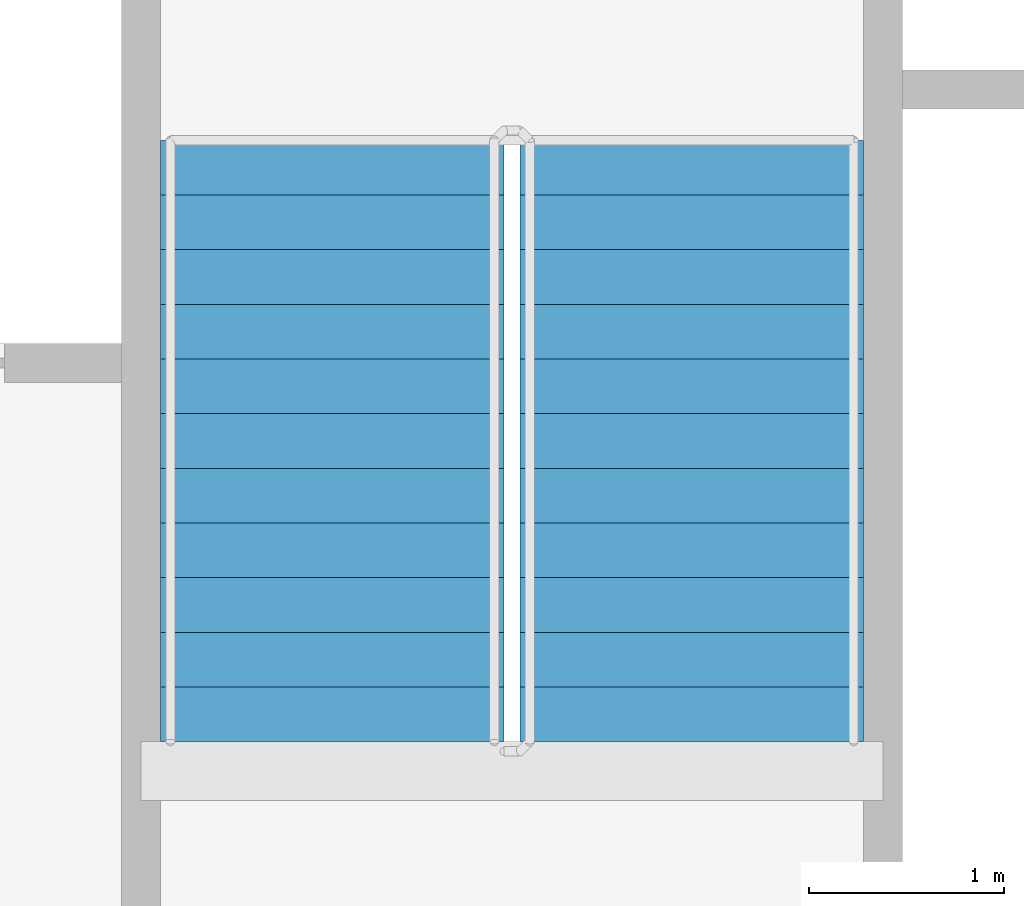
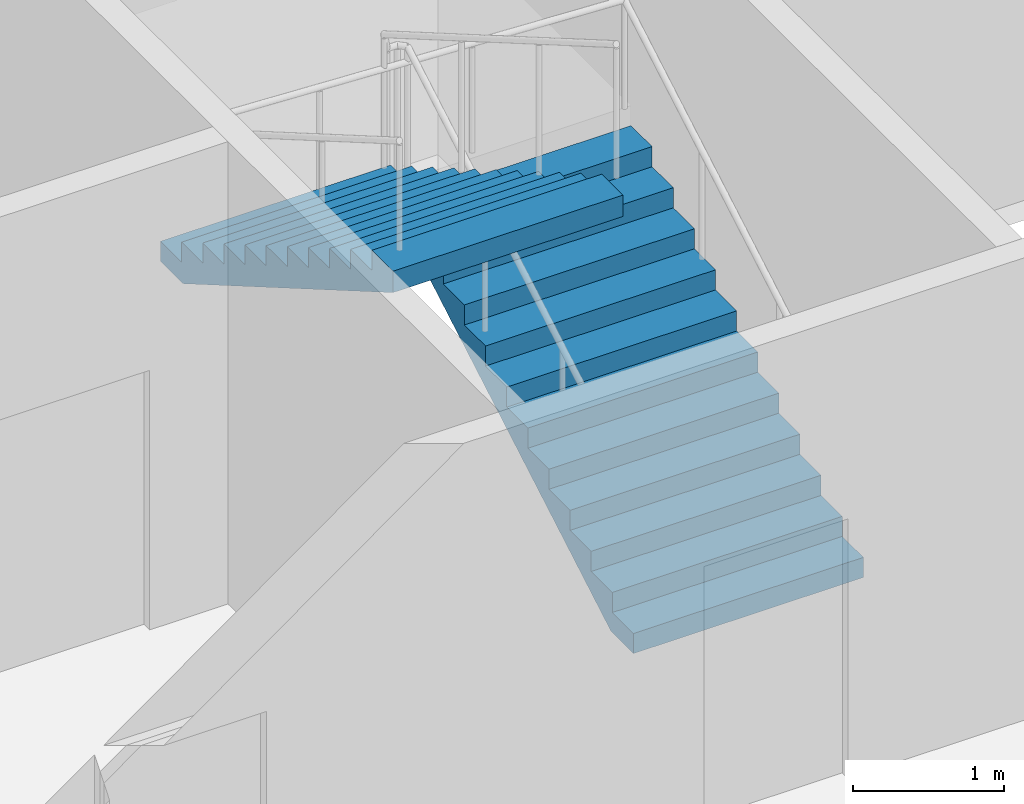
# One storey, part 18 of 23: 2 stair flights, 1 element without a shape of its own.
"""IFC4 building model written with IfcOpenShell, lengths in metres."""

from ifc_helpers import new_model, si_unit, direction, frame, origin, place, context, subcontext, project, spatial, faceted_brep, material, type_object, element, aggregate, save


model = new_model("IFC4")

# Units and contexts
model_context = context("Model", 3, precision=1e-05, world=origin(), true_north=direction((0.0, 1.0)))
body_context = subcontext(model_context, "Body", "Model", "MODEL_VIEW")
ifc_project = project(units=[si_unit("LENGTHUNIT", "METRE"), si_unit("AREAUNIT", "SQUARE_METRE"), si_unit("VOLUMEUNIT", "CUBIC_METRE"), si_unit("PLANEANGLEUNIT", "RADIAN"), si_unit("MASSUNIT", "GRAM", prefix="KILO")], contexts=[model_context])

# Site, building, storey
site_placement = place(None, origin())
site = spatial("IfcSite", under=ifc_project, at=site_placement, CompositionType="ELEMENT")
building_placement = place(site_placement, origin())
building = spatial("IfcBuilding", under=site, at=building_placement, Name="Tarsis Ring Headquarters", CompositionType="ELEMENT")
storey_placement = place(building_placement, frame((0.0, 0.0, 308.0)))
storey = spatial("IfcBuildingStorey", under=building, at=storey_placement, Name="L72", CompositionType="ELEMENT", Elevation=308.0)

# Stair, stair flights
ifc_material_1 = material(Name="Core stair 1760")
stair_type = type_object("IfcStairType", Name="Core stair 1760", PredefinedType="HALF_TURN_STAIR", material=ifc_material_1)
stair_placement = place(storey_placement, origin())
stair = element("IfcStair", 1, at=stair_placement, inside=storey, type_object=stair_type, Name="L72 Exit stair B", PredefinedType="HALF_TURN_STAIR")
ifc_material_2 = material(Name="Concrete C40/50", Category="concrete")
stair_flight_type = type_object("IfcStairFlightType", Name="Core stair flight 1760", PredefinedType="STRAIGHT", material=ifc_material_2)
stair_flight_1_placement = place(storey_placement, frame((5.419921875, 3.659912109375, 0.0), z_axis=(0.0, 0.0, 1.0), x_axis=(0.0, 1.0, 0.0)))
stair_flight_1 = element("IfcStairFlight", 2, at=stair_flight_1_placement, type_object=stair_flight_type, Name="Stair ST2 flight 1", NumberOfRisers=12, NumberOfTreads=11, PredefinedType="STRAIGHT", RiserHeight=0.1625, TreadLength=0.28, context=body_context, shape_type="Brep", body=[
    faceted_brep([(0.0, 0.8798828125, 0.0), (0.0, 0.8798828125, 0.16259765625), (0.280029296875, 0.8798828125, 0.16259765625), (0.280029296875, 0.8798828125, 0.324951171875), (0.56005859375, 0.8798828125, 0.324951171875), (0.56005859375, 0.8798828125, 0.487548828125), (0.840087890625, 0.8798828125, 0.487548828125), (0.840087890625, 0.8798828125, 0.64990234375), (1.1201171875, 0.8798828125, 0.64990234375), (1.1201171875, 0.8798828125, 0.8125), (1.39990234375, 0.8798828125, 0.8125), (1.39990234375, 0.8798828125, 0.97509765625), (1.679931640625, 0.8798828125, 0.97509765625), (1.679931640625, 0.8798828125, 1.137451171875), (1.9599609375, 0.8798828125, 1.137451171875), (1.9599609375, 0.8798828125, 1.300048828125), (2.239990234375, 0.8798828125, 1.300048828125), (2.239990234375, 0.8798828125, 1.46240234375), (2.52001953125, 0.8798828125, 1.46240234375), (2.52001953125, 0.8798828125, 1.625), (2.800048828125, 0.8798828125, 1.625), (2.800048828125, 0.8798828125, 1.78759765625), (3.080078125, 0.8798828125, 1.78759765625), (3.080078125, 0.8798828125, 1.6142578125), (0.298583984375, 0.8798828125, 0.0), (0.298583984375, -0.8798828125, 0.0), (3.080078125, -0.8798828125, 1.6142578125), (3.080078125, -0.8798828125, 1.78759765625), (2.800048828125, -0.8798828125, 1.78759765625), (2.800048828125, -0.8798828125, 1.625), (2.52001953125, -0.8798828125, 1.625), (2.52001953125, -0.8798828125, 1.46240234375), (2.239990234375, -0.8798828125, 1.46240234375), (2.239990234375, -0.8798828125, 1.300048828125), (1.9599609375, -0.8798828125, 1.300048828125), (1.9599609375, -0.8798828125, 1.137451171875), (1.679931640625, -0.8798828125, 1.137451171875), (1.679931640625, -0.8798828125, 0.97509765625), (1.39990234375, -0.8798828125, 0.97509765625), (1.39990234375, -0.8798828125, 0.8125), (1.1201171875, -0.8798828125, 0.8125), (1.1201171875, -0.8798828125, 0.64990234375), (0.840087890625, -0.8798828125, 0.64990234375), (0.840087890625, -0.8798828125, 0.487548828125), (0.56005859375, -0.8798828125, 0.487548828125), (0.56005859375, -0.8798828125, 0.324951171875), (0.280029296875, -0.8798828125, 0.324951171875), (0.280029296875, -0.8798828125, 0.16259765625), (0.0, -0.8798828125, 0.16259765625), (0.0, -0.8798828125, 0.0), (0.0, -0.43994140625, 0.16259765625), (0.0, -0.43994140625, 0.0), (0.0, 0.0, 0.16259765625), (0.0, 0.0, 0.0), (0.0, 0.43994140625, 0.16259765625), (0.0, 0.43994140625, 0.0), (0.280029296875, -0.43994140625, 0.16259765625), (0.280029296875, 0.0, 0.16259765625), (0.280029296875, 0.43994140625, 0.16259765625), (0.280029296875, -0.43994140625, 0.324951171875), (0.280029296875, 0.0, 0.324951171875), (0.280029296875, 0.43994140625, 0.324951171875), (0.56005859375, -0.43994140625, 0.324951171875), (0.56005859375, 0.0, 0.324951171875), (0.56005859375, 0.43994140625, 0.324951171875), (0.56005859375, -0.43994140625, 0.487548828125), (0.56005859375, 0.0, 0.487548828125), (0.56005859375, 0.43994140625, 0.487548828125), (0.840087890625, -0.43994140625, 0.487548828125), (0.840087890625, 0.0, 0.487548828125), (0.840087890625, 0.43994140625, 0.487548828125), (0.840087890625, -0.43994140625, 0.64990234375), (0.840087890625, 0.0, 0.64990234375), (0.840087890625, 0.43994140625, 0.64990234375), (1.1201171875, -0.43994140625, 0.64990234375), (1.1201171875, 0.0, 0.64990234375), (1.1201171875, 0.43994140625, 0.64990234375), (1.1201171875, -0.43994140625, 0.8125), (1.1201171875, 0.0, 0.8125), (1.1201171875, 0.43994140625, 0.8125), (1.39990234375, -0.43994140625, 0.8125), (1.39990234375, 0.0, 0.8125), (1.39990234375, 0.43994140625, 0.8125), (1.39990234375, -0.43994140625, 0.97509765625), (1.39990234375, 0.0, 0.97509765625), (1.39990234375, 0.43994140625, 0.97509765625), (1.679931640625, -0.43994140625, 0.97509765625), (1.679931640625, 0.0, 0.97509765625), (1.679931640625, 0.43994140625, 0.97509765625), (1.679931640625, -0.43994140625, 1.137451171875), (1.679931640625, 0.0, 1.137451171875), (1.679931640625, 0.43994140625, 1.137451171875), (1.9599609375, -0.43994140625, 1.137451171875), (1.9599609375, 0.0, 1.137451171875), (1.9599609375, 0.43994140625, 1.137451171875), (1.9599609375, -0.43994140625, 1.300048828125), (1.9599609375, 0.0, 1.300048828125), (1.9599609375, 0.43994140625, 1.300048828125), (2.239990234375, -0.43994140625, 1.300048828125), (2.239990234375, 0.0, 1.300048828125), (2.239990234375, 0.43994140625, 1.300048828125), (2.239990234375, -0.43994140625, 1.46240234375), (2.239990234375, 0.0, 1.46240234375), (2.239990234375, 0.43994140625, 1.46240234375), (2.52001953125, -0.43994140625, 1.46240234375), (2.52001953125, 0.0, 1.46240234375), (2.52001953125, 0.43994140625, 1.46240234375), (2.52001953125, -0.43994140625, 1.625), (2.52001953125, 0.0, 1.625), (2.52001953125, 0.43994140625, 1.625), (2.800048828125, -0.43994140625, 1.625), (2.800048828125, 0.0, 1.625), (2.800048828125, 0.43994140625, 1.625), (2.800048828125, -0.43994140625, 1.78759765625), (2.800048828125, 0.0, 1.78759765625), (2.800048828125, 0.43994140625, 1.78759765625), (3.080078125, -0.43994140625, 1.78759765625), (3.080078125, 0.0, 1.78759765625), (3.080078125, 0.43994140625, 1.78759765625), (3.080078125, -0.43994140625, 1.6142578125), (3.080078125, 0.0, 1.6142578125), (3.080078125, 0.43994140625, 1.6142578125), (0.298583984375, -0.43994140625, 0.0), (0.298583984375, 0.0, 0.0), (0.298583984375, 0.43994140625, 0.0)], [[[0, 1, 2, 3, 4, 5, 6, 7, 8, 9, 10, 11, 12, 13, 14, 15, 16, 17, 18, 19, 20, 21, 22, 23, 24]], [[25, 26, 27, 28, 29, 30, 31, 32, 33, 34, 35, 36, 37, 38, 39, 40, 41, 42, 43, 44, 45, 46, 47, 48, 49]], [[49, 48, 50, 51]], [[51, 50, 52, 53]], [[53, 52, 54, 55]], [[55, 54, 1, 0]], [[48, 47, 56, 50]], [[50, 56, 57, 52]], [[52, 57, 58, 54]], [[54, 58, 2, 1]], [[47, 46, 59, 56]], [[56, 59, 60, 57]], [[57, 60, 61, 58]], [[58, 61, 3, 2]], [[46, 45, 62, 59]], [[59, 62, 63, 60]], [[60, 63, 64, 61]], [[61, 64, 4, 3]], [[45, 44, 65, 62]], [[62, 65, 66, 63]], [[63, 66, 67, 64]], [[64, 67, 5, 4]], [[44, 43, 68, 65]], [[65, 68, 69, 66]], [[66, 69, 70, 67]], [[67, 70, 6, 5]], [[43, 42, 71, 68]], [[68, 71, 72, 69]], [[69, 72, 73, 70]], [[70, 73, 7, 6]], [[42, 41, 74, 71]], [[71, 74, 75, 72]], [[72, 75, 76, 73]], [[73, 76, 8, 7]], [[41, 40, 77, 74]], [[74, 77, 78, 75]], [[75, 78, 79, 76]], [[76, 79, 9, 8]], [[40, 39, 80, 77]], [[77, 80, 81, 78]], [[78, 81, 82, 79]], [[79, 82, 10, 9]], [[39, 38, 83, 80]], [[80, 83, 84, 81]], [[81, 84, 85, 82]], [[82, 85, 11, 10]], [[38, 37, 86, 83]], [[83, 86, 87, 84]], [[84, 87, 88, 85]], [[85, 88, 12, 11]], [[37, 36, 89, 86]], [[86, 89, 90, 87]], [[87, 90, 91, 88]], [[88, 91, 13, 12]], [[36, 35, 92, 89]], [[89, 92, 93, 90]], [[90, 93, 94, 91]], [[91, 94, 14, 13]], [[35, 34, 95, 92]], [[92, 95, 96, 93]], [[93, 96, 97, 94]], [[94, 97, 15, 14]], [[34, 33, 98, 95]], [[95, 98, 99, 96]], [[96, 99, 100, 97]], [[97, 100, 16, 15]], [[33, 32, 101, 98]], [[98, 101, 102, 99]], [[99, 102, 103, 100]], [[100, 103, 17, 16]], [[32, 31, 104, 101]], [[101, 104, 105, 102]], [[102, 105, 106, 103]], [[103, 106, 18, 17]], [[31, 30, 107, 104]], [[104, 107, 108, 105]], [[105, 108, 109, 106]], [[106, 109, 19, 18]], [[30, 29, 110, 107]], [[107, 110, 111, 108]], [[108, 111, 112, 109]], [[109, 112, 20, 19]], [[29, 28, 113, 110]], [[110, 113, 114, 111]], [[111, 114, 115, 112]], [[112, 115, 21, 20]], [[28, 27, 116, 113]], [[113, 116, 117, 114]], [[114, 117, 118, 115]], [[115, 118, 22, 21]], [[27, 26, 119, 116]], [[116, 119, 120, 117]], [[117, 120, 121, 118]], [[118, 121, 23, 22]], [[26, 25, 122, 119]], [[119, 122, 123, 120]], [[120, 123, 124, 121]], [[121, 124, 24, 23]], [[25, 49, 51, 122]], [[122, 51, 53, 123]], [[123, 53, 55, 124]], [[124, 55, 0, 24]]]),
])
stair_flight_2_placement = place(storey_placement, frame((3.580078125, 6.739990234375, 1.949951171875), z_axis=(0.0, 0.0, 1.0), x_axis=(0.0, -1.0, 0.0)))
stair_flight_2 = element("IfcStairFlight", 3, at=stair_flight_2_placement, type_object=stair_flight_type, Name="Stair ST2 flight 2", NumberOfRisers=12, NumberOfTreads=11, PredefinedType="STRAIGHT", RiserHeight=0.1625, TreadLength=0.28, context=body_context, shape_type="Brep", body=[
    faceted_brep([(0.0, 0.8798828125, 0.0), (0.0, 0.8798828125, 0.16259765625), (0.280029296875, 0.8798828125, 0.16259765625), (0.280029296875, 0.8798828125, 0.324951171875), (0.56005859375, 0.8798828125, 0.324951171875), (0.56005859375, 0.8798828125, 0.487548828125), (0.840087890625, 0.8798828125, 0.487548828125), (0.840087890625, 0.8798828125, 0.64990234375), (1.1201171875, 0.8798828125, 0.64990234375), (1.1201171875, 0.8798828125, 0.8125), (1.39990234375, 0.8798828125, 0.8125), (1.39990234375, 0.8798828125, 0.97509765625), (1.679931640625, 0.8798828125, 0.97509765625), (1.679931640625, 0.8798828125, 1.137451171875), (1.9599609375, 0.8798828125, 1.137451171875), (1.9599609375, 0.8798828125, 1.300048828125), (2.239990234375, 0.8798828125, 1.300048828125), (2.239990234375, 0.8798828125, 1.46240234375), (2.52001953125, 0.8798828125, 1.46240234375), (2.52001953125, 0.8798828125, 1.625), (2.800048828125, 0.8798828125, 1.625), (2.800048828125, 0.8798828125, 1.78759765625), (3.080078125, 0.8798828125, 1.78759765625), (3.080078125, 0.8798828125, 1.6142578125), (0.298583984375, 0.8798828125, 0.0), (0.298583984375, -0.8798828125, 0.0), (3.080078125, -0.8798828125, 1.6142578125), (3.080078125, -0.8798828125, 1.78759765625), (2.800048828125, -0.8798828125, 1.78759765625), (2.800048828125, -0.8798828125, 1.625), (2.52001953125, -0.8798828125, 1.625), (2.52001953125, -0.8798828125, 1.46240234375), (2.239990234375, -0.8798828125, 1.46240234375), (2.239990234375, -0.8798828125, 1.300048828125), (1.9599609375, -0.8798828125, 1.300048828125), (1.9599609375, -0.8798828125, 1.137451171875), (1.679931640625, -0.8798828125, 1.137451171875), (1.679931640625, -0.8798828125, 0.97509765625), (1.39990234375, -0.8798828125, 0.97509765625), (1.39990234375, -0.8798828125, 0.8125), (1.1201171875, -0.8798828125, 0.8125), (1.1201171875, -0.8798828125, 0.64990234375), (0.840087890625, -0.8798828125, 0.64990234375), (0.840087890625, -0.8798828125, 0.487548828125), (0.56005859375, -0.8798828125, 0.487548828125), (0.56005859375, -0.8798828125, 0.324951171875), (0.280029296875, -0.8798828125, 0.324951171875), (0.280029296875, -0.8798828125, 0.16259765625), (0.0, -0.8798828125, 0.16259765625), (0.0, -0.8798828125, 0.0), (0.0, -0.43994140625, 0.16259765625), (0.0, -0.43994140625, 0.0), (0.0, 0.0, 0.16259765625), (0.0, 0.0, 0.0), (0.0, 0.43994140625, 0.16259765625), (0.0, 0.43994140625, 0.0), (0.280029296875, -0.43994140625, 0.16259765625), (0.280029296875, 0.0, 0.16259765625), (0.280029296875, 0.43994140625, 0.16259765625), (0.280029296875, -0.43994140625, 0.324951171875), (0.280029296875, 0.0, 0.324951171875), (0.280029296875, 0.43994140625, 0.324951171875), (0.56005859375, -0.43994140625, 0.324951171875), (0.56005859375, 0.0, 0.324951171875), (0.56005859375, 0.43994140625, 0.324951171875), (0.56005859375, -0.43994140625, 0.487548828125), (0.56005859375, 0.0, 0.487548828125), (0.56005859375, 0.43994140625, 0.487548828125), (0.840087890625, -0.43994140625, 0.487548828125), (0.840087890625, 0.0, 0.487548828125), (0.840087890625, 0.43994140625, 0.487548828125), (0.840087890625, -0.43994140625, 0.64990234375), (0.840087890625, 0.0, 0.64990234375), (0.840087890625, 0.43994140625, 0.64990234375), (1.1201171875, -0.43994140625, 0.64990234375), (1.1201171875, 0.0, 0.64990234375), (1.1201171875, 0.43994140625, 0.64990234375), (1.1201171875, -0.43994140625, 0.8125), (1.1201171875, 0.0, 0.8125), (1.1201171875, 0.43994140625, 0.8125), (1.39990234375, -0.43994140625, 0.8125), (1.39990234375, 0.0, 0.8125), (1.39990234375, 0.43994140625, 0.8125), (1.39990234375, -0.43994140625, 0.97509765625), (1.39990234375, 0.0, 0.97509765625), (1.39990234375, 0.43994140625, 0.97509765625), (1.679931640625, -0.43994140625, 0.97509765625), (1.679931640625, 0.0, 0.97509765625), (1.679931640625, 0.43994140625, 0.97509765625), (1.679931640625, -0.43994140625, 1.137451171875), (1.679931640625, 0.0, 1.137451171875), (1.679931640625, 0.43994140625, 1.137451171875), (1.9599609375, -0.43994140625, 1.137451171875), (1.9599609375, 0.0, 1.137451171875), (1.9599609375, 0.43994140625, 1.137451171875), (1.9599609375, -0.43994140625, 1.300048828125), (1.9599609375, 0.0, 1.300048828125), (1.9599609375, 0.43994140625, 1.300048828125), (2.239990234375, -0.43994140625, 1.300048828125), (2.239990234375, 0.0, 1.300048828125), (2.239990234375, 0.43994140625, 1.300048828125), (2.239990234375, -0.43994140625, 1.46240234375), (2.239990234375, 0.0, 1.46240234375), (2.239990234375, 0.43994140625, 1.46240234375), (2.52001953125, -0.43994140625, 1.46240234375), (2.52001953125, 0.0, 1.46240234375), (2.52001953125, 0.43994140625, 1.46240234375), (2.52001953125, -0.43994140625, 1.625), (2.52001953125, 0.0, 1.625), (2.52001953125, 0.43994140625, 1.625), (2.800048828125, -0.43994140625, 1.625), (2.800048828125, 0.0, 1.625), (2.800048828125, 0.43994140625, 1.625), (2.800048828125, -0.43994140625, 1.78759765625), (2.800048828125, 0.0, 1.78759765625), (2.800048828125, 0.43994140625, 1.78759765625), (3.080078125, -0.43994140625, 1.78759765625), (3.080078125, 0.0, 1.78759765625), (3.080078125, 0.43994140625, 1.78759765625), (3.080078125, -0.43994140625, 1.6142578125), (3.080078125, 0.0, 1.6142578125), (3.080078125, 0.43994140625, 1.6142578125), (0.298583984375, -0.43994140625, 0.0), (0.298583984375, 0.0, 0.0), (0.298583984375, 0.43994140625, 0.0)], [[[0, 1, 2, 3, 4, 5, 6, 7, 8, 9, 10, 11, 12, 13, 14, 15, 16, 17, 18, 19, 20, 21, 22, 23, 24]], [[25, 26, 27, 28, 29, 30, 31, 32, 33, 34, 35, 36, 37, 38, 39, 40, 41, 42, 43, 44, 45, 46, 47, 48, 49]], [[49, 48, 50, 51]], [[51, 50, 52, 53]], [[53, 52, 54, 55]], [[55, 54, 1, 0]], [[48, 47, 56, 50]], [[50, 56, 57, 52]], [[52, 57, 58, 54]], [[54, 58, 2, 1]], [[47, 46, 59, 56]], [[56, 59, 60, 57]], [[57, 60, 61, 58]], [[58, 61, 3, 2]], [[46, 45, 62, 59]], [[59, 62, 63, 60]], [[60, 63, 64, 61]], [[61, 64, 4, 3]], [[45, 44, 65, 62]], [[62, 65, 66, 63]], [[63, 66, 67, 64]], [[64, 67, 5, 4]], [[44, 43, 68, 65]], [[65, 68, 69, 66]], [[66, 69, 70, 67]], [[67, 70, 6, 5]], [[43, 42, 71, 68]], [[68, 71, 72, 69]], [[69, 72, 73, 70]], [[70, 73, 7, 6]], [[42, 41, 74, 71]], [[71, 74, 75, 72]], [[72, 75, 76, 73]], [[73, 76, 8, 7]], [[41, 40, 77, 74]], [[74, 77, 78, 75]], [[75, 78, 79, 76]], [[76, 79, 9, 8]], [[40, 39, 80, 77]], [[77, 80, 81, 78]], [[78, 81, 82, 79]], [[79, 82, 10, 9]], [[39, 38, 83, 80]], [[80, 83, 84, 81]], [[81, 84, 85, 82]], [[82, 85, 11, 10]], [[38, 37, 86, 83]], [[83, 86, 87, 84]], [[84, 87, 88, 85]], [[85, 88, 12, 11]], [[37, 36, 89, 86]], [[86, 89, 90, 87]], [[87, 90, 91, 88]], [[88, 91, 13, 12]], [[36, 35, 92, 89]], [[89, 92, 93, 90]], [[90, 93, 94, 91]], [[91, 94, 14, 13]], [[35, 34, 95, 92]], [[92, 95, 96, 93]], [[93, 96, 97, 94]], [[94, 97, 15, 14]], [[34, 33, 98, 95]], [[95, 98, 99, 96]], [[96, 99, 100, 97]], [[97, 100, 16, 15]], [[33, 32, 101, 98]], [[98, 101, 102, 99]], [[99, 102, 103, 100]], [[100, 103, 17, 16]], [[32, 31, 104, 101]], [[101, 104, 105, 102]], [[102, 105, 106, 103]], [[103, 106, 18, 17]], [[31, 30, 107, 104]], [[104, 107, 108, 105]], [[105, 108, 109, 106]], [[106, 109, 19, 18]], [[30, 29, 110, 107]], [[107, 110, 111, 108]], [[108, 111, 112, 109]], [[109, 112, 20, 19]], [[29, 28, 113, 110]], [[110, 113, 114, 111]], [[111, 114, 115, 112]], [[112, 115, 21, 20]], [[28, 27, 116, 113]], [[113, 116, 117, 114]], [[114, 117, 118, 115]], [[115, 118, 22, 21]], [[27, 26, 119, 116]], [[116, 119, 120, 117]], [[117, 120, 121, 118]], [[118, 121, 23, 22]], [[26, 25, 122, 119]], [[119, 122, 123, 120]], [[120, 123, 124, 121]], [[121, 124, 24, 23]], [[25, 49, 51, 122]], [[122, 51, 53, 123]], [[123, 53, 55, 124]], [[124, 55, 0, 24]]]),
])
aggregate(stair, [stair_flight_1, stair_flight_2])

save(model, "model.ifc")
